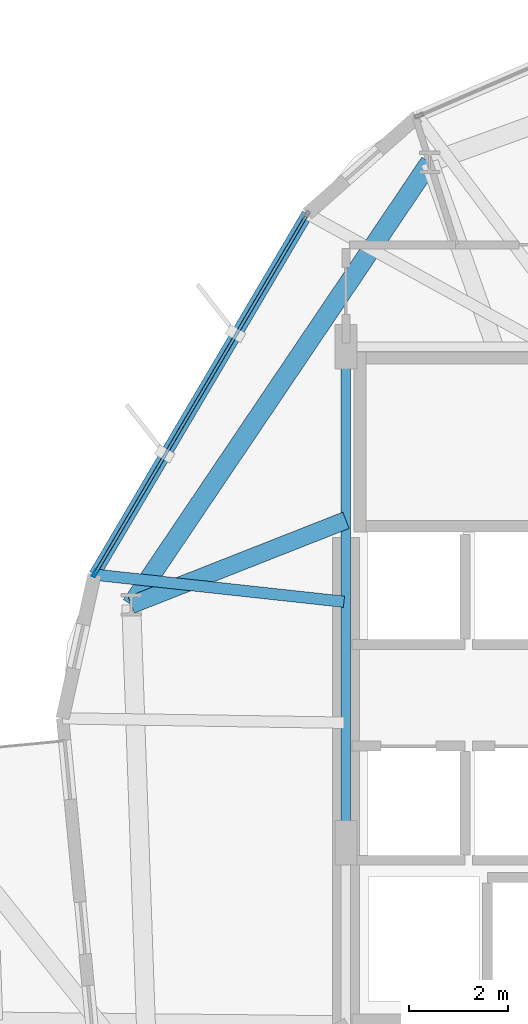
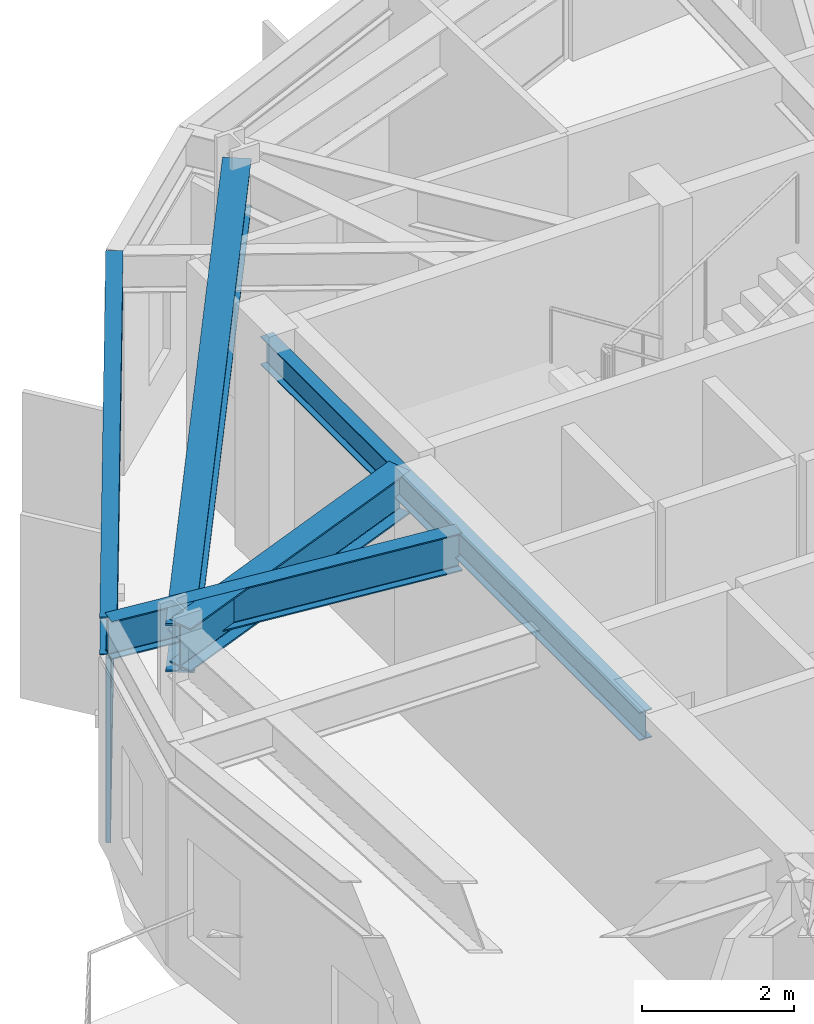
# One storey, part 8 of 23: 5 beams, 4 members, 1 element without a shape of its own.
"""IFC4 building model written with IfcOpenShell, lengths in metres."""

from ifc_helpers import new_model, si_unit, direction, frame, origin, origin_2d, place, context, subcontext, project, spatial, hollow_rectangle, i_section, extrude, material, layer, layer_set, material_profile, profile_set, type_object, element, aggregate, save


model = new_model("IFC4")

# Units and contexts
model_context = context("Model", 3, precision=1e-05, world=origin(), true_north=direction((0.0, 1.0)))
body_context = subcontext(model_context, "Body", "Model", "MODEL_VIEW")
ifc_project = project(units=[si_unit("LENGTHUNIT", "METRE"), si_unit("AREAUNIT", "SQUARE_METRE"), si_unit("VOLUMEUNIT", "CUBIC_METRE"), si_unit("PLANEANGLEUNIT", "RADIAN"), si_unit("MASSUNIT", "GRAM", prefix="KILO")], contexts=[model_context])

# Site, building, storey
site_placement = place(None, origin())
site = spatial("IfcSite", under=ifc_project, at=site_placement, CompositionType="ELEMENT")
building_placement = place(site_placement, origin())
building = spatial("IfcBuilding", under=site, at=building_placement, Name="Soratama Intermodal Tower", CompositionType="ELEMENT")
storey_placement = place(building_placement, frame((0.0, 0.0, 118.60009765625)))
storey = spatial("IfcBuildingStorey", under=building, at=storey_placement, Name="L28", CompositionType="ELEMENT", Elevation=118.60009765625)

# Beams
ifc_material_1 = material(Name="Structural steel ASTM A992 Grade 50", Category="steel")
ifc_material_profile_1 = material_profile(ifc_material_1, i_section(OverallWidth=0.19091796875, OverallDepth=0.4599609375, WebThickness=0.010009765625, FlangeThickness=0.01611328125, FilletRadius=0.010986328125, at=origin_2d()), Name="W18X55")
ifc_profile_set_1 = profile_set([ifc_material_profile_1], Name="Structural steel ASTM A992 Grade 50")
beam_type_1 = type_object("IfcBeamType", Name="BM-FLR-W18X55", PredefinedType="BEAM", material=ifc_profile_set_1)
beam_1_placement = place(storey_placement, frame((32.60009765625, 35.0, 3.369873046875), z_axis=(0.0, -1.0, 0.0), x_axis=(1.0, 0.0, 0.0)))
element("IfcBeam", 1, at=beam_1_placement, inside=storey, type_object=beam_type_1, Name="BM-L28-CRING-08", PredefinedType="BEAM", context=body_context, shape_type="SweptSolid", body=[
    extrude(i_section(OverallWidth=0.19091796875, OverallDepth=0.4599609375, WebThickness=0.010009765625, FlangeThickness=0.01611328125, FilletRadius=0.010986328125, at=origin_2d()), origin(), (0.0, 0.0, 1.0), 10.0),
])
ifc_material_2 = material(Name="Structural steel ASTM A992 Grade 50", Category="steel")
ifc_material_profile_2 = material_profile(ifc_material_2, i_section(OverallWidth=0.35498046875, OverallDepth=0.695068359375, WebThickness=0.015380859375, FlangeThickness=0.02490234375, FilletRadius=0.01611328125, at=origin_2d()), Name="W27X146")
ifc_profile_set_2 = profile_set([ifc_material_profile_2], Name="Structural steel ASTM A992 Grade 50")
beam_type_2 = type_object("IfcBeamType", Name="BM-RING-W27X146", PredefinedType="BEAM", material=ifc_profile_set_2)
beam_2_placement = place(storey_placement, frame((32.60009765625, 31.5, 3.25244140625), z_axis=(-0.930419244357, -0.366496970971, 0.0), x_axis=(0.366496970971, -0.930419244357, 0.0)))
element("IfcBeam", 2, at=beam_2_placement, inside=storey, type_object=beam_type_2, Name="BM-L28-RAD-05", PredefinedType="BEAM", context=body_context, shape_type="SweptSolid", body=[
    extrude(i_section(OverallWidth=0.35498046875, OverallDepth=0.695068359375, WebThickness=0.015380859375, FlangeThickness=0.02490234375, FilletRadius=0.01611328125, at=origin_2d()), origin(), (0.0, 0.0, 1.0), 4.649658203125),
])
ifc_material_3 = material(Name="Structural steel ASTM A992 Grade 50", Category="steel")
ifc_material_profile_3 = material_profile(ifc_material_3, i_section(OverallWidth=0.382080078125, OverallDepth=0.779052734375, WebThickness=0.01806640625, FlangeThickness=0.030029296875, FilletRadius=0.01806640625, at=origin_2d()), Name="W30X191")
ifc_profile_set_3 = profile_set([ifc_material_profile_3], Name="Structural steel ASTM A992 Grade 50")
beam_type_3 = type_object("IfcBeamType", Name="BM-RING-W30X191", PredefinedType="BEAM", material=ifc_profile_set_3)
beam_3_placement = place(storey_placement, frame((34.2880859375, 38.7109375, 3.21044921875), z_axis=(-0.559249807749, -0.828999187293, 0.0), x_axis=(0.828999187293, -0.559249807749, 0.0)))
element("IfcBeam", 3, at=beam_3_placement, inside=storey, type_object=beam_type_3, Name="BM-L28-RING-04", PredefinedType="BEAM", context=body_context, shape_type="SweptSolid", body=[
    extrude(i_section(OverallWidth=0.382080078125, OverallDepth=0.779052734375, WebThickness=0.01806640625, FlangeThickness=0.030029296875, FilletRadius=0.01806640625, at=origin_2d()), origin(), (0.0, 0.0, 1.0), 10.75390625),
])
ifc_material_4 = material(Name="Structural steel ASTM A992 Grade 50", Category="steel")
ifc_material_profile_4 = material_profile(ifc_material_4, i_section(OverallWidth=0.22900390625, OverallDepth=0.612060546875, WebThickness=0.011962890625, FlangeThickness=0.01953125, FilletRadius=0.012939453125, at=origin_2d()), Name="W24X84")
ifc_profile_set_4 = profile_set([ifc_material_profile_4], Name="Structural steel ASTM A992 Grade 50")
beam_type_4 = type_object("IfcBeamType", Name="BM-SPN-W24X84", PredefinedType="SPANDREL", material=ifc_profile_set_4)
beam_4_placement = place(storey_placement, frame((31.822998046875, 37.675048828125, 3.2939453125), z_axis=(-0.508212792617, -0.861231535315, 0.0), x_axis=(0.861231535315, -0.508212792617, 0.0)))
element("IfcBeam", 4, at=beam_4_placement, inside=storey, type_object=beam_type_4, Name="BS-L28-F04", PredefinedType="SPANDREL", context=body_context, shape_type="SweptSolid", body=[
    extrude(i_section(OverallWidth=0.22900390625, OverallDepth=0.612060546875, WebThickness=0.011962890625, FlangeThickness=0.01953125, FilletRadius=0.012939453125, at=origin_2d()), origin(), (0.0, 0.0, 1.0), 8.44140625),
])
ifc_material_5 = material(Name="Structural steel ASTM A992 Grade 50", Category="steel")
ifc_material_profile_5 = material_profile(ifc_material_5, i_section(OverallWidth=0.22900390625, OverallDepth=0.612060546875, WebThickness=0.011962890625, FlangeThickness=0.01953125, FilletRadius=0.012939453125, at=origin_2d()), Name="W24X84")
ifc_profile_set_5 = profile_set([ifc_material_profile_5], Name="Structural steel ASTM A992 Grade 50")
beam_type_5 = type_object("IfcBeamType", Name="BM-TIE-W24X84", PredefinedType="BEAM", material=ifc_profile_set_5)
beam_5_placement = place(storey_placement, frame((32.56005859375, 29.85888671875, 3.2939453125), z_axis=(-0.994150437457, 0.108004202253, 0.0), x_axis=(-0.108004202253, -0.994150437457, 0.0)))
element("IfcBeam", 5, at=beam_5_placement, inside=storey, type_object=beam_type_5, Name="BM-L28-TIE1-04", PredefinedType="BEAM", context=body_context, shape_type="SweptSolid", body=[
    extrude(i_section(OverallWidth=0.22900390625, OverallDepth=0.612060546875, WebThickness=0.011962890625, FlangeThickness=0.01953125, FilletRadius=0.012939453125, at=origin_2d()), origin(), (0.0, 0.0, 1.0), 5.056640625),
])

# Curtain wall, members
ifc_material_6 = material(Name="Double-glazed aluminium curtain wall", Category="aluminium")
ifc_layer = layer(ifc_material_6, 0.159912109375)
ifc_layer_set = layer_set([ifc_layer], Name="Double-glazed aluminium curtain wall")
curtain_wall_type = type_object("IfcCurtainWallType", Name="CW-SYS-3", PredefinedType="NOTDEFINED", material=ifc_layer_set)
curtain_wall_placement = place(storey_placement, origin())
curtain_wall = element("IfcCurtainWall", 6, at=curtain_wall_placement, inside=storey, type_object=curtain_wall_type, Name="L28 Faceted Curtain Wall F04", PredefinedType="NOTDEFINED")
ifc_material_7 = material(Name="Anodised aluminium AA 6063-T6", Category="aluminium")
ifc_material_profile_6 = material_profile(ifc_material_7, hollow_rectangle(XDim=0.070068359375, YDim=0.159912109375, WallThickness=0.0048828125, InnerFilletRadius=0.0048828125, OuterFilletRadius=0.010009765625, at=origin_2d()), Name="CWM160X70X5")
ifc_profile_set_6 = profile_set([ifc_material_profile_6], Name="Anodised aluminium AA 6063-T6")
member_type_1 = type_object("IfcMemberType", Name="MT-CWM-3", PredefinedType="MULLION", material=ifc_profile_set_6)
member_1_placement = place(storey_placement, frame((27.548583984375, 30.430419921875, 0.0), z_axis=(0.0, 0.0, 1.0), x_axis=(0.861270190831, -0.508147280212, 0.0)))
member_1 = element("IfcMember", 7, at=member_1_placement, type_object=member_type_1, Name="CW-3 mullion 2", PredefinedType="MULLION", context=body_context, shape_type="SweptSolid", body=[
    extrude(hollow_rectangle(XDim=0.070068359375, YDim=0.159912109375, WallThickness=0.0048828125, InnerFilletRadius=0.0048828125, OuterFilletRadius=0.010009765625, at=origin_2d()), origin(), (0.0, 0.0, 1.0), 2.97900390625),
])
ifc_material_8 = material(Name="Anodised aluminium AA 6063-T6", Category="aluminium")
ifc_material_profile_7 = material_profile(ifc_material_8, hollow_rectangle(XDim=0.06494140625, YDim=0.14990234375, WallThickness=0.0048828125, InnerFilletRadius=0.0048828125, OuterFilletRadius=0.010009765625, at=origin_2d()), Name="CWT150X65X5")
ifc_profile_set_7 = profile_set([ifc_material_profile_7], Name="Anodised aluminium AA 6063-T6")
member_type_2 = type_object("IfcMemberType", Name="TT-CWT-1", PredefinedType="USERDEFINED", material=ifc_profile_set_7)
member_2_placement = place(storey_placement, frame((31.792236328125, 37.623046875, 0.02978515625), z_axis=(-0.508139068169, -0.861275035863, 0.0), x_axis=(0.861275035863, -0.508139068169, 0.0)))
member_2 = element("IfcMember", 8, at=member_2_placement, type_object=member_type_2, Name="CW-3 transom 1.1", ObjectType="TRANSOM", PredefinedType="USERDEFINED", context=body_context, shape_type="SweptSolid", body=[
    extrude(hollow_rectangle(XDim=0.06494140625, YDim=0.14990234375, WallThickness=0.0048828125, InnerFilletRadius=0.0048828125, OuterFilletRadius=0.010009765625, at=origin_2d()), origin(), (0.0, 0.0, 1.0), 8.321044921875),
])
member_3_placement = place(storey_placement, frame((31.792236328125, 37.623046875, 2.14990234375), z_axis=(-0.508139068169, -0.861275035863, 0.0), x_axis=(0.861275035863, -0.508139068169, 0.0)))
member_3 = element("IfcMember", 9, at=member_3_placement, type_object=member_type_2, Name="CW-3 transom 1.2", ObjectType="TRANSOM", PredefinedType="USERDEFINED", context=body_context, shape_type="SweptSolid", body=[
    extrude(hollow_rectangle(XDim=0.06494140625, YDim=0.14990234375, WallThickness=0.0048828125, InnerFilletRadius=0.0048828125, OuterFilletRadius=0.010009765625, at=origin_2d()), origin(), (0.0, 0.0, 1.0), 8.321044921875),
])
member_4_placement = place(storey_placement, frame((31.792236328125, 37.623046875, 2.948974609375), z_axis=(-0.508139068169, -0.861275035863, 0.0), x_axis=(0.861275035863, -0.508139068169, 0.0)))
member_4 = element("IfcMember", 10, at=member_4_placement, type_object=member_type_2, Name="CW-3 transom 1.3", ObjectType="TRANSOM", PredefinedType="USERDEFINED", context=body_context, shape_type="SweptSolid", body=[
    extrude(hollow_rectangle(XDim=0.06494140625, YDim=0.14990234375, WallThickness=0.0048828125, InnerFilletRadius=0.0048828125, OuterFilletRadius=0.010009765625, at=origin_2d()), origin(), (0.0, 0.0, 1.0), 8.321044921875),
])
aggregate(curtain_wall, [member_1, member_2, member_3, member_4])

save(model, "model.ifc")
